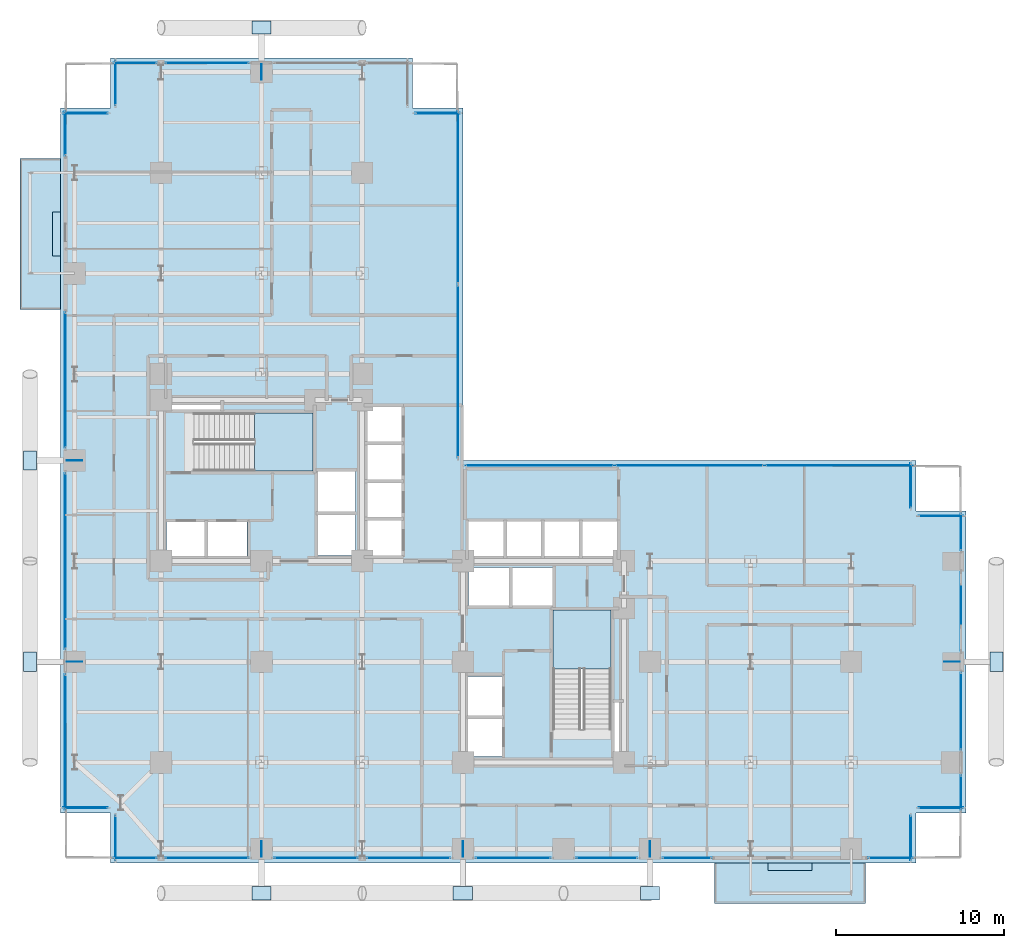
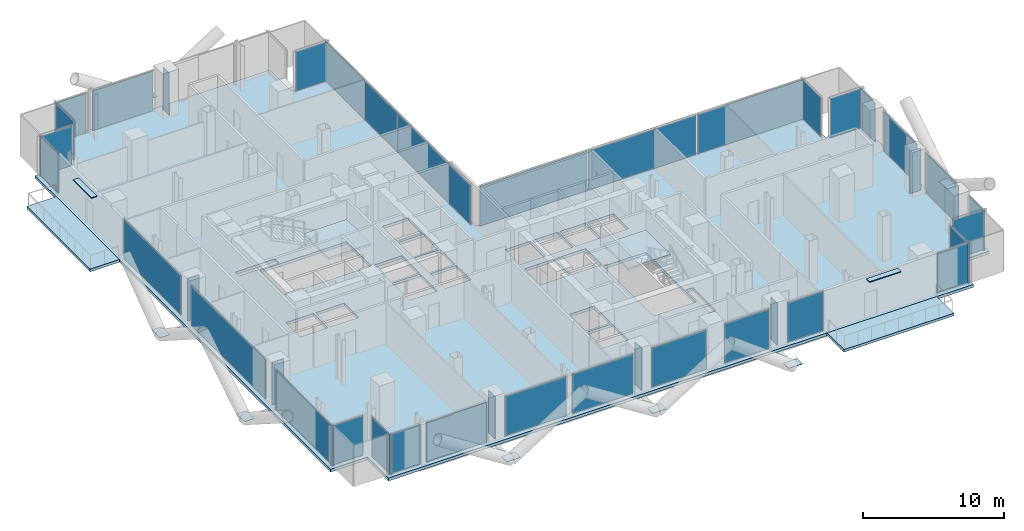
# One storey, part 17 of 27: 48 plates, 5 slabs, 31 elements without a shape of their own.
"""IFC4 building model written with IfcOpenShell, lengths in metres."""

from ifc_helpers import new_model, si_unit, direction, frame, origin, origin_2d, place, context, subcontext, project, spatial, polyline, rectangle, outline, extrude, material, layer, layer_set, type_object, element, aggregate, save


model = new_model("IFC4")

# Units and contexts
model_context = context("Model", 3, precision=1e-05, world=origin(), true_north=direction((0.0, 1.0)))
body_context = subcontext(model_context, "Body", "Model", "MODEL_VIEW")
ifc_project = project(units=[si_unit("LENGTHUNIT", "METRE"), si_unit("AREAUNIT", "SQUARE_METRE"), si_unit("VOLUMEUNIT", "CUBIC_METRE"), si_unit("PLANEANGLEUNIT", "RADIAN"), si_unit("MASSUNIT", "GRAM", prefix="KILO"), si_unit("THERMODYNAMICTEMPERATUREUNIT", "KELVIN"), si_unit("POWERUNIT", "WATT")], contexts=[model_context])

# Site, building, storey
site_placement = place(None, origin())
site = spatial("IfcSite", under=ifc_project, at=site_placement, CompositionType="ELEMENT")
building_placement = place(site_placement, origin())
building = spatial("IfcBuilding", under=site, at=building_placement, Name="Svarakhadi Broadcast Tower", CompositionType="ELEMENT")
storey_placement = place(building_placement, frame((0.0, 0.0, 90.89990234375)))
storey = spatial("IfcBuildingStorey", under=building, at=storey_placement, Name="L21", CompositionType="ELEMENT", Elevation=90.89990234375)

# Curtain wall, plate
ifc_material_1 = material(Name="Anodised Bronze Aluminium AA 6063-T6", Category="aluminium")
ifc_layer_1 = layer(ifc_material_1, 0.219970703125)
ifc_layer_set_1 = layer_set([ifc_layer_1], Name="Anodised Bronze Aluminium AA 6063-T6")
curtain_wall_type = type_object("IfcCurtainWallType", Name="CW_Sys_02", PredefinedType="NOTDEFINED", material=ifc_layer_set_1)
curtain_wall_1_placement = place(storey_placement, origin())
curtain_wall_1 = element("IfcCurtainWall", 1, at=curtain_wall_1_placement, inside=storey, type_object=curtain_wall_type, Name="L21 Unitised Facade Curtain Wall 01", PredefinedType="NOTDEFINED")
ifc_material_2 = material(Name="Double Low-E Laminated Acoustic Glass IGU 36 mm", Category="glass")
ifc_layer_2 = layer(ifc_material_2, 0.035888671875)
ifc_layer_set_2 = layer_set([ifc_layer_2], Name="Double Low-E Laminated Acoustic Glass IGU 36 mm")
plate_type_1 = type_object("IfcPlateType", Name="CW_Sys_02_Pnl", PredefinedType="CURTAIN_PANEL", material=ifc_layer_set_2)
plate_1_placement = place(storey_placement, frame((1.5, 3.300048828125, 0.0751953125), z_axis=(0.0, 0.0, 1.0), x_axis=(-1.0, 0.0, 0.0)))
plate_1 = element("IfcPlate", 2, at=plate_1_placement, type_object=plate_type_1, Name="CW-02 panel 1.1", PredefinedType="CURTAIN_PANEL", context=body_context, shape_type="SweptSolid", body=[
    extrude(rectangle(XDim=2.64990234375, YDim=0.035888671875, at=origin_2d()), origin(), (0.0, 0.0, 1.0), 3.425048828125),
])
aggregate(curtain_wall_1, [plate_1])

curtain_wall_2_placement = place(storey_placement, origin())
curtain_wall_2 = element("IfcCurtainWall", 3, at=curtain_wall_2_placement, inside=storey, type_object=curtain_wall_type, Name="L21 West Curtain Wall 02 Bay 1", PredefinedType="NOTDEFINED")
plate_2_placement = place(storey_placement, frame((0.300048828125, 7.2099609375, 0.0751953125), z_axis=(0.0, 0.0, 1.0), x_axis=(0.0, 1.0, 0.0)))
plate_2 = element("IfcPlate", 4, at=plate_2_placement, type_object=plate_type_1, Name="CW-02 panel 1.1", PredefinedType="CURTAIN_PANEL", context=body_context, shape_type="SweptSolid", body=[
    extrude(rectangle(XDim=8.070068359375, YDim=0.035888671875, at=origin_2d()), origin(), (0.0, 0.0, 1.0), 3.425048828125),
])
aggregate(curtain_wall_2, [plate_2])

curtain_wall_3_placement = place(storey_placement, origin())
curtain_wall_3 = element("IfcCurtainWall", 5, at=curtain_wall_3_placement, inside=storey, type_object=curtain_wall_type, Name="L21 West Curtain Wall 02 Bay 2", PredefinedType="NOTDEFINED")
plate_3_placement = place(storey_placement, frame((0.300048828125, 18.0, 0.0751953125), z_axis=(0.0, 0.0, 1.0), x_axis=(0.0, 1.0, 0.0)))
plate_3 = element("IfcPlate", 6, at=plate_3_placement, type_object=plate_type_1, Name="CW-02 panel 1.1", PredefinedType="CURTAIN_PANEL", context=body_context, shape_type="SweptSolid", body=[
    extrude(rectangle(XDim=10.489990234375, YDim=0.035888671875, at=origin_2d()), origin(), (0.0, 0.0, 1.0), 3.425048828125),
])
aggregate(curtain_wall_3, [plate_3])

curtain_wall_4_placement = place(storey_placement, origin())
curtain_wall_4 = element("IfcCurtainWall", 7, at=curtain_wall_4_placement, inside=storey, type_object=curtain_wall_type, Name="L21 West Curtain Wall 02 Bay 3", PredefinedType="NOTDEFINED")
plate_4_placement = place(storey_placement, frame((0.300048828125, 28.7900390625, 0.0751953125), z_axis=(0.0, 0.0, 1.0), x_axis=(0.0, 1.0, 0.0)))
plate_4 = element("IfcPlate", 8, at=plate_4_placement, type_object=plate_type_1, Name="CW-02 panel 1.1", PredefinedType="CURTAIN_PANEL", context=body_context, shape_type="SweptSolid", body=[
    extrude(rectangle(XDim=8.070068359375, YDim=0.035888671875, at=origin_2d()), origin(), (0.0, 0.0, 1.0), 3.425048828125),
])
aggregate(curtain_wall_4, [plate_4])

curtain_wall_5_placement = place(storey_placement, origin())
curtain_wall_5 = element("IfcCurtainWall", 9, at=curtain_wall_5_placement, inside=storey, type_object=curtain_wall_type, Name="L21 West Curtain Wall 03", PredefinedType="NOTDEFINED")
plate_5_placement = place(storey_placement, frame((0.300048828125, 43.5, 0.0751953125), z_axis=(0.0, 0.0, 1.0), x_axis=(0.0, 1.0, 0.0)))
plate_5 = element("IfcPlate", 10, at=plate_5_placement, type_object=plate_type_1, Name="CW-02 panel 1.1", PredefinedType="CURTAIN_PANEL", context=body_context, shape_type="SweptSolid", body=[
    extrude(rectangle(XDim=2.64990234375, YDim=0.035888671875, at=origin_2d()), origin(), (0.0, 0.0, 1.0), 3.425048828125),
])
aggregate(curtain_wall_5, [plate_5])

curtain_wall_6_placement = place(storey_placement, origin())
curtain_wall_6 = element("IfcCurtainWall", 11, at=curtain_wall_6_placement, inside=storey, type_object=curtain_wall_type, Name="L21 Unitised Facade Curtain Wall 04", PredefinedType="NOTDEFINED")
plate_6_placement = place(storey_placement, frame((1.5, 44.699951171875, 0.0751953125), z_axis=(0.0, 0.0, 1.0), x_axis=(1.0, 0.0, 0.0)))
plate_6 = element("IfcPlate", 12, at=plate_6_placement, type_object=plate_type_1, Name="CW-02 panel 1.1", PredefinedType="CURTAIN_PANEL", context=body_context, shape_type="SweptSolid", body=[
    extrude(rectangle(XDim=2.64990234375, YDim=0.035888671875, at=origin_2d()), origin(), (0.0, 0.0, 1.0), 3.425048828125),
])
aggregate(curtain_wall_6, [plate_6])

curtain_wall_7_placement = place(storey_placement, origin())
curtain_wall_7 = element("IfcCurtainWall", 13, at=curtain_wall_7_placement, inside=storey, type_object=curtain_wall_type, Name="L21 Unitised Facade Curtain Wall 05", PredefinedType="NOTDEFINED")
plate_7_placement = place(storey_placement, frame((3.300048828125, 46.5, 0.0751953125), z_axis=(0.0, 0.0, 1.0), x_axis=(0.0, 1.0, 0.0)))
plate_7 = element("IfcPlate", 14, at=plate_7_placement, type_object=plate_type_1, Name="CW-02 panel 1.1", PredefinedType="CURTAIN_PANEL", context=body_context, shape_type="SweptSolid", body=[
    extrude(rectangle(XDim=2.64990234375, YDim=0.035888671875, at=origin_2d()), origin(), (0.0, 0.0, 1.0), 3.425048828125),
])
aggregate(curtain_wall_7, [plate_7])

curtain_wall_8_placement = place(storey_placement, origin())
curtain_wall_8 = element("IfcCurtainWall", 15, at=curtain_wall_8_placement, inside=storey, type_object=curtain_wall_type, Name="L21 Unitised Facade Curtain Wall 06 Bay 1", PredefinedType="NOTDEFINED")
plate_8_placement = place(storey_placement, frame((4.4599609375, 47.699951171875, 0.0751953125), z_axis=(0.0, 0.0, 1.0), x_axis=(1.0, 0.0, 0.0)))
plate_8 = element("IfcPlate", 16, at=plate_8_placement, type_object=plate_type_1, Name="CW-02 panel 1.1", PredefinedType="CURTAIN_PANEL", context=body_context, shape_type="SweptSolid", body=[
    extrude(rectangle(XDim=2.570068359375, YDim=0.035888671875, at=origin_2d()), origin(), (0.0, 0.0, 1.0), 3.425048828125),
])
aggregate(curtain_wall_8, [plate_8])

curtain_wall_9_placement = place(storey_placement, origin())
curtain_wall_9 = element("IfcCurtainWall", 17, at=curtain_wall_9_placement, inside=storey, type_object=curtain_wall_type, Name="L21 Unitised Facade Curtain Wall 06 Bay 2", PredefinedType="NOTDEFINED")
plate_9_placement = place(storey_placement, frame((8.75, 47.699951171875, 0.0751953125), z_axis=(0.0, 0.0, 1.0), x_axis=(1.0, 0.0, 0.0)))
plate_9 = element("IfcPlate", 18, at=plate_9_placement, type_object=plate_type_1, Name="CW-02 panel 1.1", PredefinedType="CURTAIN_PANEL", context=body_context, shape_type="SweptSolid", body=[
    extrude(rectangle(XDim=4.989990234375, YDim=0.035888671875, at=origin_2d()), origin(), (0.0, 0.0, 1.0), 3.425048828125),
])
aggregate(curtain_wall_9, [plate_9])

curtain_wall_10_placement = place(storey_placement, origin())
curtain_wall_10 = element("IfcCurtainWall", 19, at=curtain_wall_10_placement, inside=storey, type_object=curtain_wall_type, Name="L21 Unitised Facade Curtain Wall 08", PredefinedType="NOTDEFINED")
plate_10_placement = place(storey_placement, frame((22.5, 44.699951171875, 0.0751953125), z_axis=(0.0, 0.0, 1.0), x_axis=(1.0, 0.0, 0.0)))
plate_10 = element("IfcPlate", 20, at=plate_10_placement, type_object=plate_type_1, Name="CW-02 panel 1.1", PredefinedType="CURTAIN_PANEL", context=body_context, shape_type="SweptSolid", body=[
    extrude(rectangle(XDim=2.64990234375, YDim=0.035888671875, at=origin_2d()), origin(), (0.0, 0.0, 1.0), 3.425048828125),
])
aggregate(curtain_wall_10, [plate_10])

# Curtain wall, plates
curtain_wall_11_placement = place(storey_placement, origin())
curtain_wall_11 = element("IfcCurtainWall", 21, at=curtain_wall_11_placement, inside=storey, type_object=curtain_wall_type, Name="L21 Unitised Facade Curtain Wall 09", PredefinedType="NOTDEFINED")
plate_11_placement = place(storey_placement, frame((23.699951171875, 39.683837890625, 0.0751953125), z_axis=(0.0, 0.0, 1.0), x_axis=(0.0, -1.0, 0.0)))
plate_11 = element("IfcPlate", 22, at=plate_11_placement, type_object=plate_type_1, Name="CW-02 panel 1.1", PredefinedType="CURTAIN_PANEL", context=body_context, shape_type="SweptSolid", body=[
    extrude(rectangle(XDim=10.282470703125, YDim=0.035888671875, at=origin_2d()), origin(), (0.0, 0.0, 1.0), 3.425048828125),
])
plate_12_placement = place(storey_placement, frame((23.699951171875, 29.316162109375, 0.0751953125), z_axis=(0.0, 0.0, 1.0), x_axis=(0.0, -1.0, 0.0)))
plate_12 = element("IfcPlate", 23, at=plate_12_placement, type_object=plate_type_1, Name="CW-02 panel 2.1", PredefinedType="CURTAIN_PANEL", context=body_context, shape_type="SweptSolid", body=[
    extrude(rectangle(XDim=10.282470703125, YDim=0.035888671875, at=origin_2d()), origin(), (0.0, 0.0, 1.0), 3.425048828125),
])
aggregate(curtain_wall_11, [plate_11, plate_12])

curtain_wall_12_placement = place(storey_placement, origin())
curtain_wall_12 = element("IfcCurtainWall", 24, at=curtain_wall_12_placement, inside=storey, type_object=curtain_wall_type, Name="L21 Unitised Facade Curtain Wall 10", PredefinedType="NOTDEFINED")
plate_13_placement = place(storey_placement, frame((28.581298828125, 23.699951171875, 0.0751953125), z_axis=(0.0, 0.0, 1.0), x_axis=(1.0, 0.0, 0.0)))
plate_13 = element("IfcPlate", 25, at=plate_13_placement, type_object=plate_type_1, Name="CW-02 panel 1.1", PredefinedType="CURTAIN_PANEL", context=body_context, shape_type="SweptSolid", body=[
    extrude(rectangle(XDim=8.8125, YDim=0.035888671875, at=origin_2d()), origin(), (0.0, 0.0, 1.0), 3.425048828125),
])
plate_14_placement = place(storey_placement, frame((37.5, 23.699951171875, 0.0751953125), z_axis=(0.0, 0.0, 1.0), x_axis=(1.0, 0.0, 0.0)))
plate_14 = element("IfcPlate", 26, at=plate_14_placement, type_object=plate_type_1, Name="CW-02 panel 2.1", PredefinedType="CURTAIN_PANEL", context=body_context, shape_type="SweptSolid", body=[
    extrude(rectangle(XDim=8.85498046875, YDim=0.035888671875, at=origin_2d()), origin(), (0.0, 0.0, 1.0), 3.425048828125),
])
plate_15_placement = place(storey_placement, frame((46.418701171875, 23.699951171875, 0.0751953125), z_axis=(0.0, 0.0, 1.0), x_axis=(1.0, 0.0, 0.0)))
plate_15 = element("IfcPlate", 27, at=plate_15_placement, type_object=plate_type_1, Name="CW-02 panel 3.1", PredefinedType="CURTAIN_PANEL", context=body_context, shape_type="SweptSolid", body=[
    extrude(rectangle(XDim=8.8125, YDim=0.035888671875, at=origin_2d()), origin(), (0.0, 0.0, 1.0), 3.425048828125),
])
aggregate(curtain_wall_12, [plate_13, plate_14, plate_15])

# Curtain wall, plate
curtain_wall_13_placement = place(storey_placement, origin())
curtain_wall_13 = element("IfcCurtainWall", 28, at=curtain_wall_13_placement, inside=storey, type_object=curtain_wall_type, Name="L21 Unitised Facade Curtain Wall 11", PredefinedType="NOTDEFINED")
plate_16_placement = place(storey_placement, frame((50.699951171875, 22.5, 0.0751953125), z_axis=(0.0, 0.0, 1.0), x_axis=(0.0, -1.0, 0.0)))
plate_16 = element("IfcPlate", 29, at=plate_16_placement, type_object=plate_type_1, Name="CW-02 panel 1.1", PredefinedType="CURTAIN_PANEL", context=body_context, shape_type="SweptSolid", body=[
    extrude(rectangle(XDim=2.64990234375, YDim=0.035888671875, at=origin_2d()), origin(), (0.0, 0.0, 1.0), 3.425048828125),
])
aggregate(curtain_wall_13, [plate_16])

curtain_wall_14_placement = place(storey_placement, origin())
curtain_wall_14 = element("IfcCurtainWall", 30, at=curtain_wall_14_placement, inside=storey, type_object=curtain_wall_type, Name="L21 Unitised Facade Curtain Wall 12", PredefinedType="NOTDEFINED")
plate_17_placement = place(storey_placement, frame((52.5, 20.699951171875, 0.0751953125), z_axis=(0.0, 0.0, 1.0), x_axis=(1.0, 0.0, 0.0)))
plate_17 = element("IfcPlate", 31, at=plate_17_placement, type_object=plate_type_1, Name="CW-02 panel 1.1", PredefinedType="CURTAIN_PANEL", context=body_context, shape_type="SweptSolid", body=[
    extrude(rectangle(XDim=2.64990234375, YDim=0.035888671875, at=origin_2d()), origin(), (0.0, 0.0, 1.0), 3.425048828125),
])
aggregate(curtain_wall_14, [plate_17])

curtain_wall_15_placement = place(storey_placement, origin())
curtain_wall_15 = element("IfcCurtainWall", 32, at=curtain_wall_15_placement, inside=storey, type_object=curtain_wall_type, Name="L21 Unitised Facade Curtain Wall 13 Bay 1", PredefinedType="NOTDEFINED")
plate_18_placement = place(storey_placement, frame((53.699951171875, 19.739990234375, 0.0751953125), z_axis=(0.0, 0.0, 1.0), x_axis=(0.0, -1.0, 0.0)))
plate_18 = element("IfcPlate", 33, at=plate_18_placement, type_object=plate_type_1, Name="CW-02 panel 1.1", PredefinedType="CURTAIN_PANEL", context=body_context, shape_type="SweptSolid", body=[
    extrude(rectangle(XDim=2.169921875, YDim=0.035888671875, at=origin_2d()), origin(), (0.0, 0.0, 1.0), 3.425048828125),
])
aggregate(curtain_wall_15, [plate_18])

curtain_wall_16_placement = place(storey_placement, origin())
curtain_wall_16 = element("IfcCurtainWall", 34, at=curtain_wall_16_placement, inside=storey, type_object=curtain_wall_type, Name="L21 Unitised Facade Curtain Wall 13 Bay 2", PredefinedType="NOTDEFINED")
plate_19_placement = place(storey_placement, frame((53.699951171875, 15.0, 0.0751953125), z_axis=(0.0, 0.0, 1.0), x_axis=(0.0, -1.0, 0.0)))
plate_19 = element("IfcPlate", 35, at=plate_19_placement, type_object=plate_type_1, Name="CW-02 panel 1.1", PredefinedType="CURTAIN_PANEL", context=body_context, shape_type="SweptSolid", body=[
    extrude(rectangle(XDim=4.68994140625, YDim=0.035888671875, at=origin_2d()), origin(), (0.0, 0.0, 1.0), 3.425048828125),
])
aggregate(curtain_wall_16, [plate_19])

curtain_wall_17_placement = place(storey_placement, origin())
curtain_wall_17 = element("IfcCurtainWall", 36, at=curtain_wall_17_placement, inside=storey, type_object=curtain_wall_type, Name="L21 Unitised Facade Curtain Wall 13 Bay 3", PredefinedType="NOTDEFINED")
plate_20_placement = place(storey_placement, frame((53.699951171875, 9.050048828125, 0.0751953125), z_axis=(0.0, 0.0, 1.0), x_axis=(0.0, -1.0, 0.0)))
plate_20 = element("IfcPlate", 37, at=plate_20_placement, type_object=plate_type_1, Name="CW-02 panel 1.1", PredefinedType="CURTAIN_PANEL", context=body_context, shape_type="SweptSolid", body=[
    extrude(rectangle(XDim=4.590087890625, YDim=0.035888671875, at=origin_2d()), origin(), (0.0, 0.0, 1.0), 3.425048828125),
])
aggregate(curtain_wall_17, [plate_20])

curtain_wall_18_placement = place(storey_placement, origin())
curtain_wall_18 = element("IfcCurtainWall", 38, at=curtain_wall_18_placement, inside=storey, type_object=curtain_wall_type, Name="L21 Unitised Facade Curtain Wall 13 Bay 4", PredefinedType="NOTDEFINED")
plate_21_placement = place(storey_placement, frame((53.699951171875, 4.2099609375, 0.0751953125), z_axis=(0.0, 0.0, 1.0), x_axis=(0.0, -1.0, 0.0)))
plate_21 = element("IfcPlate", 39, at=plate_21_placement, type_object=plate_type_1, Name="CW-02 panel 1.1", PredefinedType="CURTAIN_PANEL", context=body_context, shape_type="SweptSolid", body=[
    extrude(rectangle(XDim=2.070068359375, YDim=0.035888671875, at=origin_2d()), origin(), (0.0, 0.0, 1.0), 3.425048828125),
])
aggregate(curtain_wall_18, [plate_21])

curtain_wall_19_placement = place(storey_placement, origin())
curtain_wall_19 = element("IfcCurtainWall", 40, at=curtain_wall_19_placement, inside=storey, type_object=curtain_wall_type, Name="L21 Unitised Facade Curtain Wall 14", PredefinedType="NOTDEFINED")
plate_22_placement = place(storey_placement, frame((52.5, 3.300048828125, 0.0751953125), z_axis=(0.0, 0.0, 1.0), x_axis=(-1.0, 0.0, 0.0)))
plate_22 = element("IfcPlate", 41, at=plate_22_placement, type_object=plate_type_1, Name="CW-02 panel 1.1", PredefinedType="CURTAIN_PANEL", context=body_context, shape_type="SweptSolid", body=[
    extrude(rectangle(XDim=2.64990234375, YDim=0.035888671875, at=origin_2d()), origin(), (0.0, 0.0, 1.0), 3.425048828125),
])
aggregate(curtain_wall_19, [plate_22])

curtain_wall_20_placement = place(storey_placement, origin())
curtain_wall_20 = element("IfcCurtainWall", 42, at=curtain_wall_20_placement, inside=storey, type_object=curtain_wall_type, Name="L21 Unitised Facade Curtain Wall 15", PredefinedType="NOTDEFINED")
plate_23_placement = place(storey_placement, frame((50.699951171875, 1.5, 0.0751953125), z_axis=(0.0, 0.0, 1.0), x_axis=(0.0, -1.0, 0.0)))
plate_23 = element("IfcPlate", 43, at=plate_23_placement, type_object=plate_type_1, Name="CW-02 panel 1.1", PredefinedType="CURTAIN_PANEL", context=body_context, shape_type="SweptSolid", body=[
    extrude(rectangle(XDim=2.64990234375, YDim=0.035888671875, at=origin_2d()), origin(), (0.0, 0.0, 1.0), 3.425048828125),
])
aggregate(curtain_wall_20, [plate_23])

curtain_wall_21_placement = place(storey_placement, origin())
curtain_wall_21 = element("IfcCurtainWall", 44, at=curtain_wall_21_placement, inside=storey, type_object=curtain_wall_type, Name="L21 South Curtain Wall 16", PredefinedType="NOTDEFINED")
plate_24_placement = place(storey_placement, frame((49.5, 0.300048828125, 0.0751953125), z_axis=(0.0, 0.0, 1.0), x_axis=(-1.0, 0.0, 0.0)))
plate_24 = element("IfcPlate", 45, at=plate_24_placement, type_object=plate_type_1, Name="CW-02 panel 1.1", PredefinedType="CURTAIN_PANEL", context=body_context, shape_type="SweptSolid", body=[
    extrude(rectangle(XDim=2.64990234375, YDim=0.035888671875, at=origin_2d()), origin(), (0.0, 0.0, 1.0), 3.425048828125),
])
aggregate(curtain_wall_21, [plate_24])

curtain_wall_22_placement = place(storey_placement, origin())
curtain_wall_22 = element("IfcCurtainWall", 46, at=curtain_wall_22_placement, inside=storey, type_object=curtain_wall_type, Name="L21 South Curtain Wall 17 Bay 1", PredefinedType="NOTDEFINED")
plate_25_placement = place(storey_placement, frame((37.364990234375, 0.300048828125, 0.0751953125), z_axis=(0.0, 0.0, 1.0), x_axis=(-1.0, 0.0, 0.0)))
plate_25 = element("IfcPlate", 47, at=plate_25_placement, type_object=plate_type_1, Name="CW-02 panel 1.1", PredefinedType="CURTAIN_PANEL", context=body_context, shape_type="SweptSolid", body=[
    extrude(rectangle(XDim=2.919921875, YDim=0.035888671875, at=origin_2d()), origin(), (0.0, 0.0, 1.0), 3.425048828125),
])
aggregate(curtain_wall_22, [plate_25])

curtain_wall_23_placement = place(storey_placement, origin())
curtain_wall_23 = element("IfcCurtainWall", 48, at=curtain_wall_23_placement, inside=storey, type_object=curtain_wall_type, Name="L21 South Curtain Wall 17 Bay 2", PredefinedType="NOTDEFINED")
plate_26_placement = place(storey_placement, frame((32.574951171875, 0.300048828125, 0.0751953125), z_axis=(0.0, 0.0, 1.0), x_axis=(-1.0, 0.0, 0.0)))
plate_26 = element("IfcPlate", 49, at=plate_26_placement, type_object=plate_type_1, Name="CW-02 panel 1.1", PredefinedType="CURTAIN_PANEL", context=body_context, shape_type="SweptSolid", body=[
    extrude(rectangle(XDim=3.639892578125, YDim=0.035888671875, at=origin_2d()), origin(), (0.0, 0.0, 1.0), 3.425048828125),
])
aggregate(curtain_wall_23, [plate_26])

curtain_wall_24_placement = place(storey_placement, origin())
curtain_wall_24 = element("IfcCurtainWall", 50, at=curtain_wall_24_placement, inside=storey, type_object=curtain_wall_type, Name="L21 South Curtain Wall 17 Bay 3", PredefinedType="NOTDEFINED")
plate_27_placement = place(storey_placement, frame((27.0, 0.300048828125, 0.0751953125), z_axis=(0.0, 0.0, 1.0), x_axis=(-1.0, 0.0, 0.0)))
plate_27 = element("IfcPlate", 51, at=plate_27_placement, type_object=plate_type_1, Name="CW-02 panel 1.1", PredefinedType="CURTAIN_PANEL", context=body_context, shape_type="SweptSolid", body=[
    extrude(rectangle(XDim=4.489990234375, YDim=0.035888671875, at=origin_2d()), origin(), (0.0, 0.0, 1.0), 3.425048828125),
])
aggregate(curtain_wall_24, [plate_27])

curtain_wall_25_placement = place(storey_placement, origin())
curtain_wall_25 = element("IfcCurtainWall", 52, at=curtain_wall_25_placement, inside=storey, type_object=curtain_wall_type, Name="L21 South Curtain Wall 17 Bay 4", PredefinedType="NOTDEFINED")
plate_28_placement = place(storey_placement, frame((20.75, 0.300048828125, 0.0751953125), z_axis=(0.0, 0.0, 1.0), x_axis=(-1.0, 0.0, 0.0)))
plate_28 = element("IfcPlate", 53, at=plate_28_placement, type_object=plate_type_1, Name="CW-02 panel 1.1", PredefinedType="CURTAIN_PANEL", context=body_context, shape_type="SweptSolid", body=[
    extrude(rectangle(XDim=4.989990234375, YDim=0.035888671875, at=origin_2d()), origin(), (0.0, 0.0, 1.0), 3.425048828125),
])
aggregate(curtain_wall_25, [plate_28])

curtain_wall_26_placement = place(storey_placement, origin())
curtain_wall_26 = element("IfcCurtainWall", 54, at=curtain_wall_26_placement, inside=storey, type_object=curtain_wall_type, Name="L21 South Curtain Wall 17 Bay 5", PredefinedType="NOTDEFINED")
plate_29_placement = place(storey_placement, frame((15.25, 0.300048828125, 0.0751953125), z_axis=(0.0, 0.0, 1.0), x_axis=(-1.0, 0.0, 0.0)))
plate_29 = element("IfcPlate", 55, at=plate_29_placement, type_object=plate_type_1, Name="CW-02 panel 1.1", PredefinedType="CURTAIN_PANEL", context=body_context, shape_type="SweptSolid", body=[
    extrude(rectangle(XDim=4.989990234375, YDim=0.035888671875, at=origin_2d()), origin(), (0.0, 0.0, 1.0), 3.425048828125),
])
aggregate(curtain_wall_26, [plate_29])

curtain_wall_27_placement = place(storey_placement, origin())
curtain_wall_27 = element("IfcCurtainWall", 56, at=curtain_wall_27_placement, inside=storey, type_object=curtain_wall_type, Name="L21 South Curtain Wall 17 Bay 6", PredefinedType="NOTDEFINED")
plate_30_placement = place(storey_placement, frame((8.75, 0.300048828125, 0.0751953125), z_axis=(0.0, 0.0, 1.0), x_axis=(-1.0, 0.0, 0.0)))
plate_30 = element("IfcPlate", 57, at=plate_30_placement, type_object=plate_type_1, Name="CW-02 panel 1.1", PredefinedType="CURTAIN_PANEL", context=body_context, shape_type="SweptSolid", body=[
    extrude(rectangle(XDim=4.989990234375, YDim=0.035888671875, at=origin_2d()), origin(), (0.0, 0.0, 1.0), 3.425048828125),
])
aggregate(curtain_wall_27, [plate_30])

curtain_wall_28_placement = place(storey_placement, origin())
curtain_wall_28 = element("IfcCurtainWall", 58, at=curtain_wall_28_placement, inside=storey, type_object=curtain_wall_type, Name="L21 South Curtain Wall 17 Bay 7", PredefinedType="NOTDEFINED")
plate_31_placement = place(storey_placement, frame((4.4599609375, 0.300048828125, 0.0751953125), z_axis=(0.0, 0.0, 1.0), x_axis=(-1.0, 0.0, 0.0)))
plate_31 = element("IfcPlate", 59, at=plate_31_placement, type_object=plate_type_1, Name="CW-02 panel 1.1", PredefinedType="CURTAIN_PANEL", context=body_context, shape_type="SweptSolid", body=[
    extrude(rectangle(XDim=2.570068359375, YDim=0.035888671875, at=origin_2d()), origin(), (0.0, 0.0, 1.0), 3.425048828125),
])
aggregate(curtain_wall_28, [plate_31])

curtain_wall_29_placement = place(storey_placement, origin())
curtain_wall_29 = element("IfcCurtainWall", 60, at=curtain_wall_29_placement, inside=storey, type_object=curtain_wall_type, Name="L21 Unitised Facade Curtain Wall 18", PredefinedType="NOTDEFINED")
plate_32_placement = place(storey_placement, frame((3.300048828125, 1.5, 0.0751953125), z_axis=(0.0, 0.0, 1.0), x_axis=(0.0, 1.0, 0.0)))
plate_32 = element("IfcPlate", 61, at=plate_32_placement, type_object=plate_type_1, Name="CW-02 panel 1.1", PredefinedType="CURTAIN_PANEL", context=body_context, shape_type="SweptSolid", body=[
    extrude(rectangle(XDim=2.64990234375, YDim=0.035888671875, at=origin_2d()), origin(), (0.0, 0.0, 1.0), 3.425048828125),
])
aggregate(curtain_wall_29, [plate_32])

# Plates
ifc_material_3 = material(Name="Steel S460ML (IS 2062 E450BR)", Category="steel")
ifc_layer_3 = layer(ifc_material_3, 0.035888671875)
ifc_layer_set_3 = layer_set([ifc_layer_3], Name="Steel S460ML (IS 2062 E450BR)")
plate_type_2 = type_object("IfcPlateType", Name="Node_Gusset_N01", PredefinedType="SHEET", material=ifc_layer_set_3)
for number, where, z_axis, x_axis, name in (
    (62, (12.0, -1.800048828125, -0.25), (0.0, 0.0, 1.0), (1.0, 0.0, 0.0), "L21 Exoskeleton Gusset Node Plate S01"),
    (63, (24.0, -1.800048828125, -0.25), (0.0, 0.0, 1.0), (1.0, 0.0, 0.0), "L21 Exoskeleton Gusset Node Plate S02"),
    (64, (35.14990234375, -1.800048828125, -0.25), (0.0, 0.0, 1.0), (1.0, 0.0, 0.0), "L21 Exoskeleton Gusset Node Plate S03"),
    (65, (-1.800048828125, 12.0, -0.25), (0.0, 0.0, 1.0), (0.0, 1.0, 0.0), "L21 Exoskeleton Gusset Node Plate W04"),
    (66, (-1.800048828125, 24.0, -0.25), (0.0, 0.0, 1.0), (0.0, 1.0, 0.0), "L21 Exoskeleton Gusset Node Plate W05"),
    (67, (55.800048828125, 12.0, -0.25), (0.0, 0.0, 1.0), (0.0, 1.0, 0.0), "L21 Exoskeleton Gusset Node Plate E06"),
    (68, (12.0, 49.800048828125, -0.25), (0.0, 0.0, 1.0), (1.0, 0.0, 0.0), "L21 Exoskeleton Gusset Node Plate N07"),
):
    element("IfcPlate", number, at=place(storey_placement, frame(where, z_axis=z_axis, x_axis=x_axis)), inside=storey, type_object=plate_type_2, Name=name, PredefinedType="SHEET", context=body_context, shape_type="SweptSolid", body=[
        extrude(rectangle(XDim=1.14990234375, YDim=0.780029296875, at=origin_2d()), origin(), (0.0, 0.0, 1.0), 0.035888671875),
    ])
ifc_layer_4 = layer(ifc_material_3, 0.02587890625)
ifc_layer_set_4 = layer_set([ifc_layer_4], Name="Steel S460ML (IS 2062 E450BR)")
plate_type_3 = type_object("IfcPlateType", Name="Node_Gusset_N07", PredefinedType="SHEET", material=ifc_layer_set_4)
for number, where, z_axis, x_axis, name in (
    (69, (12.0, 0.85009765625, -0.6279296875), (0.0, 0.0, 1.0), (0.0, 1.0, 0.0), "L21 Brace End Connection Gusset Plate N-07-E0160"),
    (70, (24.0, 0.85009765625, -0.6279296875), (0.0, 0.0, 1.0), (0.0, 1.0, 0.0), "L21 Brace End Connection Gusset Plate N-07-E0161"),
    (71, (35.14990234375, 0.85009765625, -0.6279296875), (0.0, 0.0, 1.0), (0.0, 1.0, 0.0), "L21 Brace End Connection Gusset Plate N-07-E0162"),
    (72, (0.85009765625, 12.0, -0.6279296875), (0.0, 0.0, 1.0), (1.0, 0.0, 0.0), "L21 Brace End Connection Gusset Plate N-07-E0163"),
    (73, (0.85009765625, 24.0, -0.6279296875), (0.0, 0.0, 1.0), (1.0, 0.0, 0.0), "L21 Brace End Connection Gusset Plate N-07-E0164"),
    (74, (53.14990234375, 12.0, -0.6279296875), (0.0, 0.0, 1.0), (1.0, 0.0, 0.0), "L21 Brace End Connection Gusset Plate N-07-E0165"),
    (75, (12.0, 47.14990234375, -0.6279296875), (0.0, 0.0, 1.0), (0.0, 1.0, 0.0), "L21 Brace End Connection Gusset Plate N-07-E0166"),
):
    element("IfcPlate", number, at=place(storey_placement, frame(where, z_axis=z_axis, x_axis=x_axis)), inside=storey, type_object=plate_type_3, Name=name, PredefinedType="SHEET", context=body_context, shape_type="SweptSolid", body=[
        extrude(rectangle(XDim=0.919921875, YDim=0.02587890625, at=origin_2d()), origin(), (0.0, 0.0, 1.0), 4.300048828125),
    ])

# Slab
ifc_material_4 = material(Name="Concrete C40/50 (IS 456 M50)", Category="concrete")
ifc_layer_5 = layer(ifc_material_4, 0.25)
ifc_layer_set_5 = layer_set([ifc_layer_5], Name="Concrete C40/50 (IS 456 M50)")
slab_type_1 = type_object("IfcSlabType", Name="Slab_Floor_250", PredefinedType="FLOOR", material=ifc_layer_set_5)
slab_1_placement = place(storey_placement, frame((0.0, 0.0, -0.25)))
element("IfcSlab", 76, at=slab_1_placement, inside=storey, type_object=slab_type_1, Name="L21 Structural Floor Slab", PredefinedType="FLOOR", context=body_context, shape_type="SweptSolid", body=[
    extrude(outline(polyline([(3.0, 0.0), (51.0, 0.0), (51.0, 3.0), (54.0, 3.0), (54.0, 21.0), (51.0, 21.0), (51.0, 24.0), (24.0, 24.0), (24.0, 45.0), (21.0, 45.0), (21.0, 48.0), (3.0, 48.0), (3.0, 45.0), (0.0, 45.0), (0.0, 3.0), (3.0, 3.0), (3.0, 0.0)]), holes=[polyline([(7.97998046875, 23.360107421875), (15.080078125, 23.360107421875), (15.080078125, 26.840087890625), (7.97998046875, 26.840087890625), (7.97998046875, 23.360107421875)]), polyline([(32.840087890625, 7.97998046875), (32.840087890625, 15.080078125), (29.360107421875, 15.080078125), (29.360107421875, 7.97998046875), (32.840087890625, 7.97998046875)]), polyline([(6.340087890625, 18.2900390625), (8.610107421875, 18.2900390625), (8.610107421875, 20.330078125), (6.340087890625, 20.330078125), (6.340087890625, 18.2900390625)]), polyline([(8.7900390625, 18.2900390625), (11.1298828125, 18.2900390625), (11.1298828125, 20.330078125), (8.7900390625, 20.330078125), (8.7900390625, 18.2900390625)]), polyline([(24.2900390625, 6.340087890625), (26.330078125, 6.340087890625), (26.330078125, 8.610107421875), (24.2900390625, 8.610107421875), (24.2900390625, 6.340087890625)]), polyline([(24.2900390625, 8.7900390625), (26.330078125, 8.7900390625), (26.330078125, 11.1298828125), (24.2900390625, 11.1298828125), (24.2900390625, 8.7900390625)]), polyline([(6.340087890625, 26.989990234375), (9.610107421875, 26.989990234375), (9.610107421875, 27.530029296875), (6.340087890625, 27.530029296875), (6.340087890625, 26.989990234375)]), polyline([(32.989990234375, 6.340087890625), (33.530029296875, 6.340087890625), (33.530029296875, 9.610107421875), (32.989990234375, 9.610107421875), (32.989990234375, 6.340087890625)]), polyline([(15.340087890625, 18.340087890625), (17.610107421875, 18.340087890625), (17.610107421875, 20.760009765625), (15.340087890625, 20.760009765625), (15.340087890625, 18.340087890625)]), polyline([(15.340087890625, 20.93994140625), (17.610107421875, 20.93994140625), (17.610107421875, 23.360107421875), (15.340087890625, 23.360107421875), (15.340087890625, 20.93994140625)]), polyline([(24.340087890625, 15.340087890625), (26.760009765625, 15.340087890625), (26.760009765625, 17.610107421875), (24.340087890625, 17.610107421875), (24.340087890625, 15.340087890625)]), polyline([(26.93994140625, 15.340087890625), (29.360107421875, 15.340087890625), (29.360107421875, 17.610107421875), (26.93994140625, 17.610107421875), (26.93994140625, 15.340087890625)]), polyline([(18.239990234375, 18.340087890625), (20.360107421875, 18.340087890625), (20.360107421875, 20.429931640625), (18.239990234375, 20.429931640625), (18.239990234375, 18.340087890625)]), polyline([(18.239990234375, 20.610107421875), (20.360107421875, 20.610107421875), (20.360107421875, 22.679931640625), (18.239990234375, 22.679931640625), (18.239990234375, 20.610107421875)]), polyline([(18.239990234375, 22.860107421875), (20.360107421875, 22.860107421875), (20.360107421875, 24.929931640625), (18.239990234375, 24.929931640625), (18.239990234375, 22.860107421875)]), polyline([(18.239990234375, 25.110107421875), (20.360107421875, 25.110107421875), (20.360107421875, 27.2099609375), (18.239990234375, 27.2099609375), (18.239990234375, 25.110107421875)]), polyline([(24.340087890625, 18.239990234375), (26.429931640625, 18.239990234375), (26.429931640625, 20.360107421875), (24.340087890625, 20.360107421875), (24.340087890625, 18.239990234375)]), polyline([(26.610107421875, 18.239990234375), (28.679931640625, 18.239990234375), (28.679931640625, 20.360107421875), (26.610107421875, 20.360107421875), (26.610107421875, 18.239990234375)]), polyline([(28.860107421875, 18.239990234375), (30.929931640625, 18.239990234375), (30.929931640625, 20.360107421875), (28.860107421875, 20.360107421875), (28.860107421875, 18.239990234375)]), polyline([(31.110107421875, 18.239990234375), (33.2099609375, 18.239990234375), (33.2099609375, 20.360107421875), (31.110107421875, 20.360107421875), (31.110107421875, 18.239990234375)])]), origin(), (0.0, 0.0, 1.0), 0.25),
])

# Stair, slab
stair_type = type_object("IfcStairType", Name="Stair_Exit_Core", PredefinedType="HALF_TURN_STAIR", material=ifc_material_4)
stair_1_placement = place(storey_placement, origin())
stair_1 = element("IfcStair", 77, at=stair_1_placement, inside=storey, type_object=stair_type, Name="L21 West Core Protected Exit Stair ST-01", PredefinedType="HALF_TURN_STAIR")
ifc_layer_6 = layer(ifc_material_4, 0.199951171875)
ifc_layer_set_6 = layer_set([ifc_layer_6], Name="Concrete C40/50 (IS 456 M50)")
slab_type_2 = type_object("IfcSlabType", Name="Slab_Stair_Land", PredefinedType="LANDING", material=ifc_layer_set_6)
slab_2_placement = place(storey_placement, frame((0.0, 0.0, 1.75)))
slab_2 = element("IfcSlab", 78, at=slab_2_placement, type_object=slab_type_2, Name="ST-01 landing 1", PredefinedType="LANDING", context=body_context, shape_type="SweptSolid", body=[
    extrude(outline(polyline([(11.580078125, 23.360107421875), (15.080078125, 23.360107421875), (15.080078125, 26.840087890625), (11.580078125, 26.840087890625), (11.580078125, 23.360107421875)])), origin(), (0.0, 0.0, 1.0), 0.2001953125),
])
aggregate(stair_1, [slab_2])

stair_2_placement = place(storey_placement, origin())
stair_2 = element("IfcStair", 79, at=stair_2_placement, inside=storey, type_object=stair_type, Name="L21 East Core Protected Exit Stair ST-02", PredefinedType="HALF_TURN_STAIR")
slab_3_placement = place(storey_placement, frame((0.0, 0.0, 1.75)))
slab_3 = element("IfcSlab", 80, at=slab_3_placement, type_object=slab_type_2, Name="ST-02 landing 1", PredefinedType="LANDING", context=body_context, shape_type="SweptSolid", body=[
    extrude(outline(polyline([(32.840087890625, 11.580078125), (32.840087890625, 15.080078125), (29.360107421875, 15.080078125), (29.360107421875, 11.580078125), (32.840087890625, 11.580078125)])), origin(), (0.0, 0.0, 1.0), 0.2001953125),
])
aggregate(stair_2, [slab_3])

# Slabs
ifc_layer_7 = layer(ifc_material_4, 0.22509765625)
ifc_layer_set_7 = layer_set([ifc_layer_7], Name="Concrete C40/50 (IS 456 M50)")
slab_type_3 = type_object("IfcSlabType", Name="Slab_TreeBalcony", PredefinedType="FLOOR", material=ifc_layer_set_7)
slab_4_placement = place(storey_placement, frame((0.0, 0.0, -0.224853515625)))
element("IfcSlab", 81, at=slab_4_placement, inside=storey, type_object=slab_type_3, Name="L21 Planted Tree Balcony Slab BAL-E", PredefinedType="FLOOR", context=body_context, shape_type="SweptSolid", body=[
    extrude(outline(polyline([(39.0, -2.39990234375), (48.0, -2.39990234375), (48.0, 0.0), (39.0, 0.0), (39.0, -2.39990234375)])), origin(), (0.0, 0.0, 1.0), 0.224853515625),
])
slab_5_placement = place(storey_placement, frame((0.0, 0.0, -0.224853515625)))
element("IfcSlab", 82, at=slab_5_placement, inside=storey, type_object=slab_type_3, Name="L21 Planted Tree Balcony Slab BAL-N", PredefinedType="FLOOR", context=body_context, shape_type="SweptSolid", body=[
    extrude(outline(polyline([(-2.39990234375, 33.0), (0.0, 33.0), (0.0, 42.0), (-2.39990234375, 42.0), (-2.39990234375, 33.0)])), origin(), (0.0, 0.0, 1.0), 0.224853515625),
])

# Plates
ifc_layer_8 = layer(ifc_material_1, 0.080078125)
ifc_layer_set_8 = layer_set([ifc_layer_8], Name="Anodised Bronze Aluminium AA 6063-T6")
plate_type_4 = type_object("IfcPlateType", Name="Sunshade_Fin_SS01", PredefinedType="USERDEFINED", material=ifc_layer_set_8)
for number, where, z_axis, x_axis, name in (
    (83, (43.5, -0.22509765625, 3.4951171875), (0.0, 0.0, 1.0), (1.0, 0.0, 0.0), "L21 South Bronze Brise-Soleil Sunshade SS-01"),
    (84, (-0.22509765625, 37.5, 3.4951171875), (0.0, 0.0, 1.0), (0.0, 1.0, 0.0), "L21 West Bronze Brise-Soleil Sunshade SS-01"),
):
    element("IfcPlate", number, at=place(storey_placement, frame(where, z_axis=z_axis, x_axis=x_axis)), inside=storey, type_object=plate_type_4, Name=name, ObjectType="SUNSHADE", PredefinedType="USERDEFINED", context=body_context, shape_type="SweptSolid", body=[
        extrude(rectangle(XDim=2.60009765625, YDim=0.449951171875, at=origin_2d()), origin(), (0.0, 0.0, 1.0), 0.080078125),
    ])

save(model, "model.ifc")
